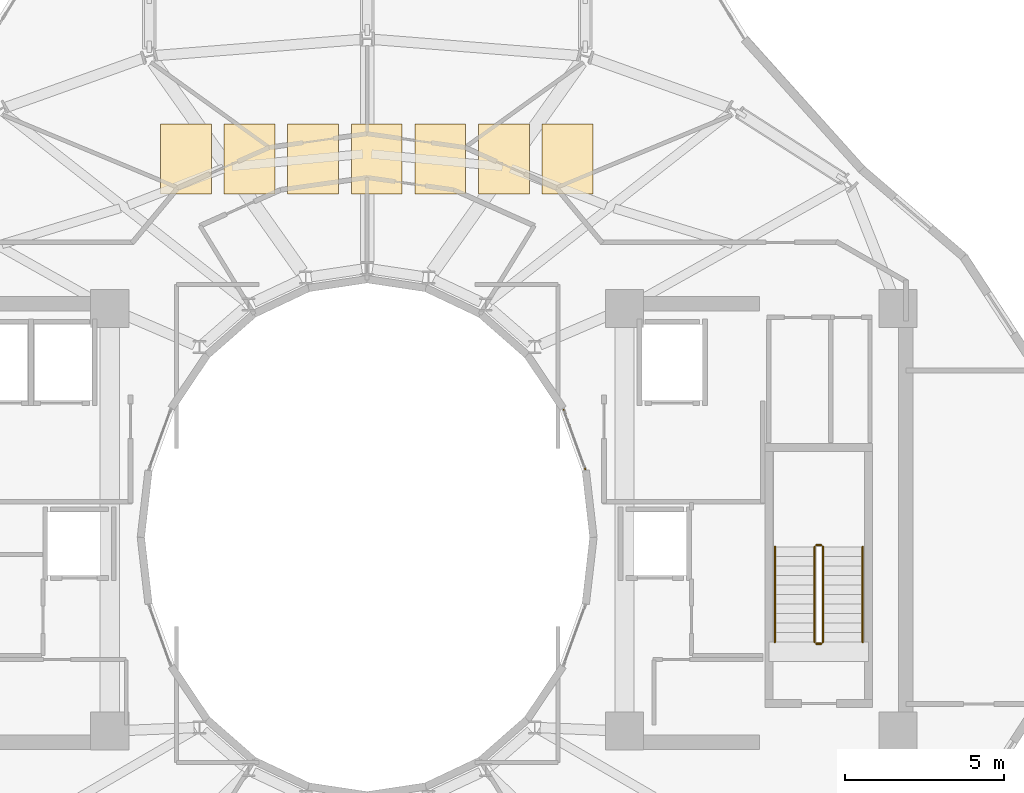
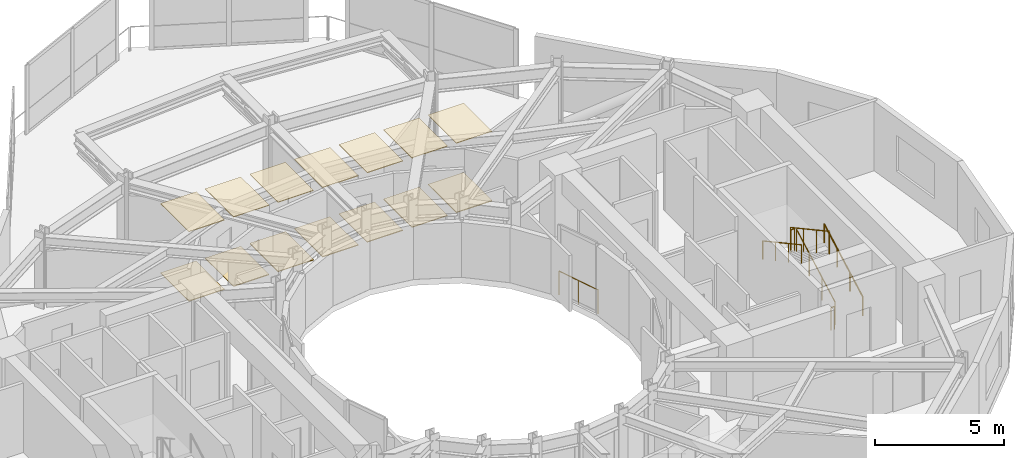
# One storey, part 23 of 24: 14 coverings, 7 railings.
"""IFC4 building model written with IfcOpenShell, lengths in metres."""

from ifc_helpers import new_model, si_unit, direction, frame, origin, origin_2d, place, context, subcontext, project, spatial, polyline, circle, outline, extrude, material, layer, layer_set, type_object, element, save


model = new_model("IFC4")

# Units and contexts
model_context = context("Model", 3, precision=1e-05, world=origin(), true_north=direction((0.0, 1.0)))
body_context = subcontext(model_context, "Body", "Model", "MODEL_VIEW")
ifc_project = project(units=[si_unit("LENGTHUNIT", "METRE"), si_unit("AREAUNIT", "SQUARE_METRE"), si_unit("VOLUMEUNIT", "CUBIC_METRE"), si_unit("PLANEANGLEUNIT", "RADIAN"), si_unit("MASSUNIT", "GRAM", prefix="KILO")], contexts=[model_context])

# Site, building, storey
site_placement = place(None, origin())
site = spatial("IfcSite", under=ifc_project, at=site_placement, CompositionType="ELEMENT")
building_placement = place(site_placement, origin())
building = spatial("IfcBuilding", under=site, at=building_placement, Name="Solvane Sanctuary Tower", CompositionType="ELEMENT")
storey_placement = place(building_placement, frame((0.0, 0.0, 246.0)))
storey = spatial("IfcBuildingStorey", under=building, at=storey_placement, Name="L75", CompositionType="ELEMENT", Elevation=246.0)

# Coverings
ifc_material_1 = material(Name="Acoustic Gypsum Partition Board")
ifc_layer_1 = layer(ifc_material_1, 0.02490234375, Name="Acoustic Gypsum Partition Board")
ifc_layer_set_1 = layer_set([ifc_layer_1], Name="Acoustic Gypsum Partition Board")
covering_type_1 = type_object("IfcCoveringType", Name="Covering CLG-ACOUST", PredefinedType="CEILING", material=ifc_layer_set_1)
covering_1_placement = place(storey_placement, frame((0.0, 0.0, 3.2900390625)))
element("IfcCovering", 1, at=covering_1_placement, inside=storey, type_object=covering_type_1, Name="L75 Sky Dining Acoustic Coffer 1", PredefinedType="CEILING", context=body_context, shape_type="SweptSolid", body=[
    extrude(outline(polyline([(25.5, 33.800048828125), (27.10009765625, 33.800048828125), (27.10009765625, 36.0), (25.5, 36.0), (25.5, 33.800048828125)])), origin(), (0.0, 0.0, 1.0), 0.030029296875),
])
covering_2_placement = place(storey_placement, frame((0.0, 0.0, 3.2900390625)))
element("IfcCovering", 2, at=covering_2_placement, inside=storey, type_object=covering_type_1, Name="L75 Sky Dining Acoustic Coffer 2", PredefinedType="CEILING", context=body_context, shape_type="SweptSolid", body=[
    extrude(outline(polyline([(27.5, 33.800048828125), (29.10009765625, 33.800048828125), (29.10009765625, 36.0), (27.5, 36.0), (27.5, 33.800048828125)])), origin(), (0.0, 0.0, 1.0), 0.030029296875),
])
covering_3_placement = place(storey_placement, frame((0.0, 0.0, 3.2900390625)))
element("IfcCovering", 3, at=covering_3_placement, inside=storey, type_object=covering_type_1, Name="L75 Sky Dining Acoustic Coffer 3", PredefinedType="CEILING", context=body_context, shape_type="SweptSolid", body=[
    extrude(outline(polyline([(29.5, 33.800048828125), (31.10009765625, 33.800048828125), (31.10009765625, 36.0), (29.5, 36.0), (29.5, 33.800048828125)])), origin(), (0.0, 0.0, 1.0), 0.030029296875),
])
covering_4_placement = place(storey_placement, frame((0.0, 0.0, 3.2900390625)))
element("IfcCovering", 4, at=covering_4_placement, inside=storey, type_object=covering_type_1, Name="L75 Sky Dining Acoustic Coffer 4", PredefinedType="CEILING", context=body_context, shape_type="SweptSolid", body=[
    extrude(outline(polyline([(31.5, 33.800048828125), (33.10009765625, 33.800048828125), (33.10009765625, 36.0), (31.5, 36.0), (31.5, 33.800048828125)])), origin(), (0.0, 0.0, 1.0), 0.030029296875),
])
covering_5_placement = place(storey_placement, frame((0.0, 0.0, 3.2900390625)))
element("IfcCovering", 5, at=covering_5_placement, inside=storey, type_object=covering_type_1, Name="L75 Sky Dining Acoustic Coffer 5", PredefinedType="CEILING", context=body_context, shape_type="SweptSolid", body=[
    extrude(outline(polyline([(33.5, 33.800048828125), (35.10009765625, 33.800048828125), (35.10009765625, 36.0), (33.5, 36.0), (33.5, 33.800048828125)])), origin(), (0.0, 0.0, 1.0), 0.030029296875),
])
covering_6_placement = place(storey_placement, frame((0.0, 0.0, 3.2900390625)))
element("IfcCovering", 6, at=covering_6_placement, inside=storey, type_object=covering_type_1, Name="L75 Sky Dining Acoustic Coffer 6", PredefinedType="CEILING", context=body_context, shape_type="SweptSolid", body=[
    extrude(outline(polyline([(35.5, 33.800048828125), (37.10009765625, 33.800048828125), (37.10009765625, 36.0), (35.5, 36.0), (35.5, 33.800048828125)])), origin(), (0.0, 0.0, 1.0), 0.030029296875),
])
covering_7_placement = place(storey_placement, frame((0.0, 0.0, 3.2900390625)))
element("IfcCovering", 7, at=covering_7_placement, inside=storey, type_object=covering_type_1, Name="L75 Sky Dining Acoustic Coffer 7", PredefinedType="CEILING", context=body_context, shape_type="SweptSolid", body=[
    extrude(outline(polyline([(37.5, 33.800048828125), (39.10009765625, 33.800048828125), (39.10009765625, 36.0), (37.5, 36.0), (37.5, 33.800048828125)])), origin(), (0.0, 0.0, 1.0), 0.030029296875),
])
ifc_material_2 = material(Name="Ceramic Tile Finish")
ifc_layer_2 = layer(ifc_material_2, 0.030029296875, Name="Ceramic Tile Finish")
ifc_layer_set_2 = layer_set([ifc_layer_2], Name="Ceramic Tile Finish")
covering_type_2 = type_object("IfcCoveringType", Name="Covering FLR-TERRAZZO", PredefinedType="FLOORING", material=ifc_layer_set_2)
covering_8_placement = place(storey_placement, origin())
element("IfcCovering", 8, at=covering_8_placement, inside=storey, type_object=covering_type_2, Name="L75 Sky Dining Terrazzo Inlay 1", PredefinedType="FLOORING", context=body_context, shape_type="SweptSolid", body=[
    extrude(outline(polyline([(25.5, 33.800048828125), (27.10009765625, 33.800048828125), (27.10009765625, 36.0), (25.5, 36.0), (25.5, 33.800048828125)])), origin(), (0.0, 0.0, 1.0), 0.034912109375),
])
covering_9_placement = place(storey_placement, origin())
element("IfcCovering", 9, at=covering_9_placement, inside=storey, type_object=covering_type_2, Name="L75 Sky Dining Terrazzo Inlay 2", PredefinedType="FLOORING", context=body_context, shape_type="SweptSolid", body=[
    extrude(outline(polyline([(27.5, 33.800048828125), (29.10009765625, 33.800048828125), (29.10009765625, 36.0), (27.5, 36.0), (27.5, 33.800048828125)])), origin(), (0.0, 0.0, 1.0), 0.034912109375),
])
covering_10_placement = place(storey_placement, origin())
element("IfcCovering", 10, at=covering_10_placement, inside=storey, type_object=covering_type_2, Name="L75 Sky Dining Terrazzo Inlay 3", PredefinedType="FLOORING", context=body_context, shape_type="SweptSolid", body=[
    extrude(outline(polyline([(29.5, 33.800048828125), (31.10009765625, 33.800048828125), (31.10009765625, 36.0), (29.5, 36.0), (29.5, 33.800048828125)])), origin(), (0.0, 0.0, 1.0), 0.034912109375),
])
covering_11_placement = place(storey_placement, origin())
element("IfcCovering", 11, at=covering_11_placement, inside=storey, type_object=covering_type_2, Name="L75 Sky Dining Terrazzo Inlay 4", PredefinedType="FLOORING", context=body_context, shape_type="SweptSolid", body=[
    extrude(outline(polyline([(31.5, 33.800048828125), (33.10009765625, 33.800048828125), (33.10009765625, 36.0), (31.5, 36.0), (31.5, 33.800048828125)])), origin(), (0.0, 0.0, 1.0), 0.034912109375),
])
covering_12_placement = place(storey_placement, origin())
element("IfcCovering", 12, at=covering_12_placement, inside=storey, type_object=covering_type_2, Name="L75 Sky Dining Terrazzo Inlay 5", PredefinedType="FLOORING", context=body_context, shape_type="SweptSolid", body=[
    extrude(outline(polyline([(33.5, 33.800048828125), (35.10009765625, 33.800048828125), (35.10009765625, 36.0), (33.5, 36.0), (33.5, 33.800048828125)])), origin(), (0.0, 0.0, 1.0), 0.034912109375),
])
covering_13_placement = place(storey_placement, origin())
element("IfcCovering", 13, at=covering_13_placement, inside=storey, type_object=covering_type_2, Name="L75 Sky Dining Terrazzo Inlay 6", PredefinedType="FLOORING", context=body_context, shape_type="SweptSolid", body=[
    extrude(outline(polyline([(35.5, 33.800048828125), (37.10009765625, 33.800048828125), (37.10009765625, 36.0), (35.5, 36.0), (35.5, 33.800048828125)])), origin(), (0.0, 0.0, 1.0), 0.034912109375),
])
covering_14_placement = place(storey_placement, origin())
element("IfcCovering", 14, at=covering_14_placement, inside=storey, type_object=covering_type_2, Name="L75 Sky Dining Terrazzo Inlay 7", PredefinedType="FLOORING", context=body_context, shape_type="SweptSolid", body=[
    extrude(outline(polyline([(37.5, 33.800048828125), (39.10009765625, 33.800048828125), (39.10009765625, 36.0), (37.5, 36.0), (37.5, 33.800048828125)])), origin(), (0.0, 0.0, 1.0), 0.034912109375),
])

# Railings
ifc_material_3 = material(Name="Architectural Stainless Steel 316", Category="steel")
railing_type_1 = type_object("IfcRailingType", Name="Railing GR-BALC-1150", PredefinedType="BALUSTRADE", material=ifc_material_3)
railing_1_placement = place(storey_placement, frame((46.340087890625, 19.699951171875, 0.16357421875)))
element("IfcRailing", 15, at=railing_1_placement, inside=storey, type_object=railing_type_1, Name="L75 ST-2 stair guard 1", PredefinedType="BALUSTRADE", context=body_context, shape_type="SweptSolid", body=[
    extrude(circle(Radius=0.02392578125, at=origin_2d()), frame((0.0, 0.0, 1.076171875), z_axis=(0.0, 0.877881921179, 0.478877158013), x_axis=(-1.0, 0.0, 0.0)), (0.0, 0.0, 1.0), 3.417236328125),
    extrude(circle(Radius=0.02099609375, at=origin_2d()), origin(), (0.0, 0.0, 1.0), 1.052001953125),
    extrude(circle(Radius=0.02099609375, at=origin_2d()), frame((0.0, 1.0, 0.54541015625)), (0.0, 0.0, 1.0), 1.052001953125),
    extrude(circle(Radius=0.02099609375, at=origin_2d()), frame((0.0, 2.0, 1.091064453125)), (0.0, 0.0, 1.0), 1.052001953125),
    extrude(circle(Radius=0.02099609375, at=origin_2d()), frame((0.0, 3.0, 1.636474609375)), (0.0, 0.0, 1.0), 1.052001953125),
])
railing_2_placement = place(storey_placement, frame((46.2900390625, 22.75, 1.800048828125)))
element("IfcRailing", 16, at=railing_2_placement, inside=storey, type_object=railing_type_1, Name="L75 ST-2 stair guard 2", PredefinedType="BALUSTRADE", context=body_context, shape_type="SweptSolid", body=[
    extrude(circle(Radius=0.02392578125, at=origin_2d()), frame((0.0, 0.0, 1.076171875), z_axis=(-1.0, 0.0, 0.0), x_axis=(0.0, -1.0, 0.0)), (0.0, 0.0, 1.0), 0.16015625),
    extrude(circle(Radius=0.02099609375, at=origin_2d()), origin(), (0.0, 0.0, 1.0), 1.052001953125),
    extrude(circle(Radius=0.02099609375, at=origin_2d()), frame((-0.16015625, 0.0, 0.0)), (0.0, 0.0, 1.0), 1.052001953125),
])
railing_3_placement = place(storey_placement, frame((46.080078125, 22.699951171875, 1.963623046875)))
element("IfcRailing", 17, at=railing_3_placement, inside=storey, type_object=railing_type_1, Name="L75 ST-2 stair guard 3", PredefinedType="BALUSTRADE", context=body_context, shape_type="SweptSolid", body=[
    extrude(circle(Radius=0.02392578125, at=origin_2d()), frame((0.0, 0.0, 1.076171875), z_axis=(0.0, -0.877881921179, 0.478877158013), x_axis=(1.0, 0.0, 0.0)), (0.0, 0.0, 1.0), 3.417236328125),
    extrude(circle(Radius=0.02099609375, at=origin_2d()), origin(), (0.0, 0.0, 1.0), 1.052001953125),
    extrude(circle(Radius=0.02099609375, at=origin_2d()), frame((0.0, -1.0, 0.54541015625)), (0.0, 0.0, 1.0), 1.052001953125),
    extrude(circle(Radius=0.02099609375, at=origin_2d()), frame((0.0, -2.0, 1.091064453125)), (0.0, 0.0, 1.0), 1.052001953125),
    extrude(circle(Radius=0.02099609375, at=origin_2d()), frame((0.0, -3.0, 1.636474609375)), (0.0, 0.0, 1.0), 1.052001953125),
])
railing_4_placement = place(storey_placement, frame((46.2900390625, 19.64990234375, 0.0)))
element("IfcRailing", 18, at=railing_4_placement, inside=storey, type_object=railing_type_1, Name="L75 ST-2 stair guard 4", PredefinedType="BALUSTRADE", context=body_context, shape_type="SweptSolid", body=[
    extrude(circle(Radius=0.02392578125, at=origin_2d()), frame((0.0, 0.0, 1.076171875), z_axis=(-1.0, 0.0, 0.0), x_axis=(0.0, -1.0, 0.0)), (0.0, 0.0, 1.0), 0.16015625),
    extrude(circle(Radius=0.02099609375, at=origin_2d()), origin(), (0.0, 0.0, 1.0), 1.052001953125),
    extrude(circle(Radius=0.02099609375, at=origin_2d()), frame((-0.16015625, 0.0, 0.0)), (0.0, 0.0, 1.0), 1.052001953125),
])
railing_type_2 = type_object("IfcRailingType", Name="Railing GR-WELL-1150", PredefinedType="GUARDRAIL", material=ifc_material_3)
railing_5_placement = place(storey_placement, frame((38.8603515625, 25.148681640625, 0.0)))
element("IfcRailing", 19, at=railing_5_placement, inside=storey, type_object=railing_type_2, Name="L75 Light-Well Glazing Sill Guard 01", PredefinedType="GUARDRAIL", context=body_context, shape_type="SweptSolid", body=[
    extrude(circle(Radius=0.02392578125, at=origin_2d()), frame((0.0, 0.0, 1.1259765625), z_axis=(-0.341446556351, 0.939901191166, 0.0), x_axis=(-0.939901191166, -0.341446556351, 0.0)), (0.0, 0.0, 1.0), 1.9833984375),
    extrude(circle(Radius=0.02099609375, at=origin_2d()), origin(), (0.0, 0.0, 1.0), 1.101806640625),
    extrude(circle(Radius=0.02099609375, at=origin_2d()), frame((-0.338623046875, 0.93212890625, 0.0)), (0.0, 0.0, 1.0), 1.101806640625),
    extrude(circle(Radius=0.02099609375, at=origin_2d()), frame((-0.67724609375, 1.8642578125, 0.0)), (0.0, 0.0, 1.0), 1.101806640625),
])
railing_type_3 = type_object("IfcRailingType", Name="Railing HR-STAIR-920", PredefinedType="HANDRAIL", material=ifc_material_3)
railing_6_placement = place(storey_placement, frame((47.590087890625, 19.699951171875, 0.16357421875)))
element("IfcRailing", 20, at=railing_6_placement, inside=storey, type_object=railing_type_3, Name="L75 ST-2 stair handrail 1", PredefinedType="HANDRAIL", context=body_context, shape_type="SweptSolid", body=[
    extrude(circle(Radius=0.02392578125, at=origin_2d()), frame((0.0, 0.0, 0.8759765625), z_axis=(0.0, 0.877881921179, 0.478877158013), x_axis=(-1.0, 0.0, 0.0)), (0.0, 0.0, 1.0), 3.417236328125),
    extrude(circle(Radius=0.02099609375, at=origin_2d()), origin(), (0.0, 0.0, 1.0), 0.851806640625),
    extrude(circle(Radius=0.02099609375, at=origin_2d()), frame((0.0, 1.0, 0.54541015625)), (0.0, 0.0, 1.0), 0.851806640625),
    extrude(circle(Radius=0.02099609375, at=origin_2d()), frame((0.0, 2.0, 1.091064453125)), (0.0, 0.0, 1.0), 0.851806640625),
    extrude(circle(Radius=0.02099609375, at=origin_2d()), frame((0.0, 3.0, 1.636474609375)), (0.0, 0.0, 1.0), 0.851806640625),
])
railing_7_placement = place(storey_placement, frame((44.830078125, 22.699951171875, 1.963623046875)))
element("IfcRailing", 21, at=railing_7_placement, inside=storey, type_object=railing_type_3, Name="L75 ST-2 stair handrail 2", PredefinedType="HANDRAIL", context=body_context, shape_type="SweptSolid", body=[
    extrude(circle(Radius=0.02392578125, at=origin_2d()), frame((0.0, 0.0, 0.8759765625), z_axis=(0.0, -0.877881921179, 0.478877158013), x_axis=(1.0, 0.0, 0.0)), (0.0, 0.0, 1.0), 3.417236328125),
    extrude(circle(Radius=0.02099609375, at=origin_2d()), origin(), (0.0, 0.0, 1.0), 0.851806640625),
    extrude(circle(Radius=0.02099609375, at=origin_2d()), frame((0.0, -1.0, 0.54541015625)), (0.0, 0.0, 1.0), 0.851806640625),
    extrude(circle(Radius=0.02099609375, at=origin_2d()), frame((0.0, -2.0, 1.091064453125)), (0.0, 0.0, 1.0), 0.851806640625),
    extrude(circle(Radius=0.02099609375, at=origin_2d()), frame((0.0, -3.0, 1.636474609375)), (0.0, 0.0, 1.0), 0.851806640625),
])

save(model, "model.ifc")
